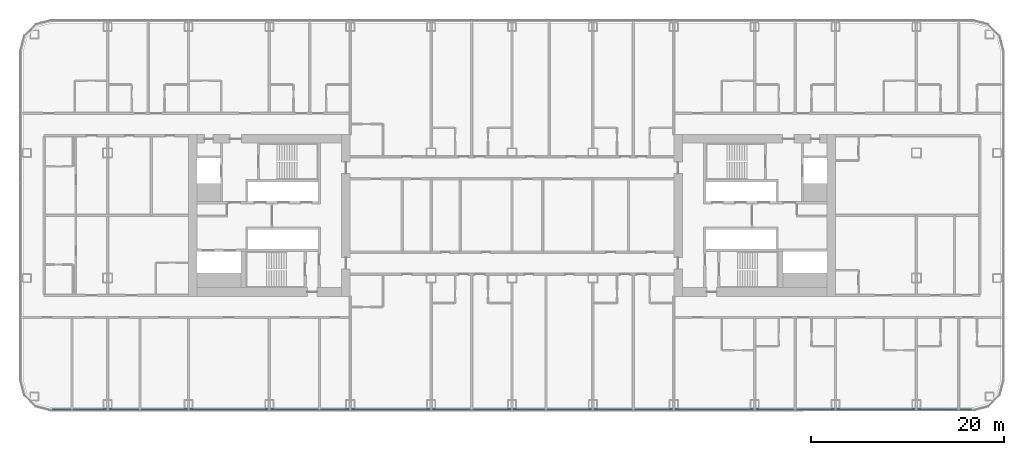
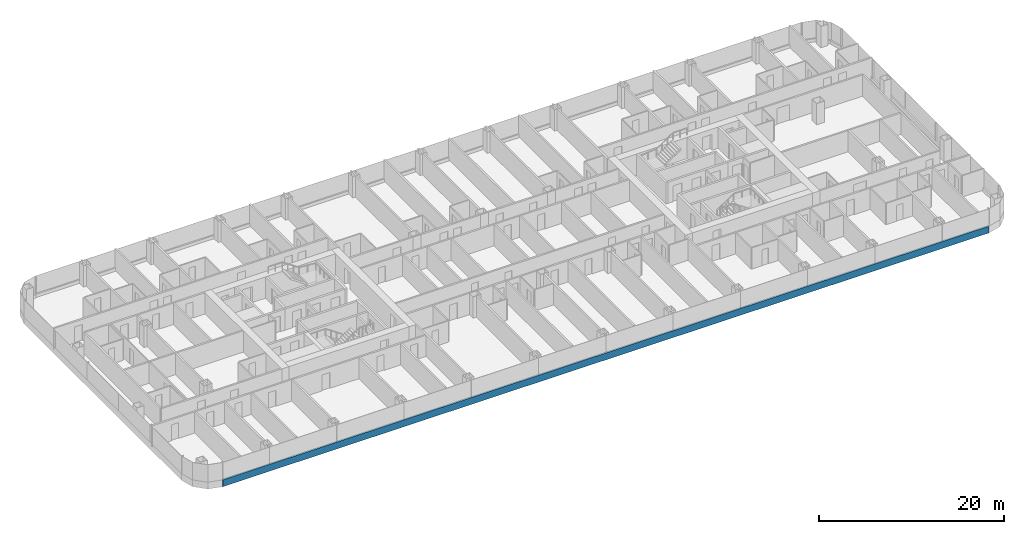
# One storey, part 5 of 28: 1 member, 1 element without a shape of its own.
"""IFC4 building model written with IfcOpenShell, lengths in metres."""

from ifc_helpers import new_model, si_unit, direction, frame, origin, origin_2d, place, context, subcontext, project, spatial, rectangle, extrude, material, layer, layer_set, material_profile, profile_set, type_object, element, aggregate, save


model = new_model("IFC4")

# Units and contexts
model_context = context("Model", 3, precision=1e-05, world=origin(), true_north=direction((0.0, 1.0)))
body_context = subcontext(model_context, "Body", "Model", "MODEL_VIEW")
ifc_project = project(units=[si_unit("LENGTHUNIT", "METRE"), si_unit("AREAUNIT", "SQUARE_METRE"), si_unit("VOLUMEUNIT", "CUBIC_METRE"), si_unit("PLANEANGLEUNIT", "RADIAN"), si_unit("MASSUNIT", "GRAM", prefix="KILO")], contexts=[model_context])

# Site, building, storey
site_placement = place(None, origin())
site = spatial("IfcSite", under=ifc_project, at=site_placement, CompositionType="ELEMENT")
building_placement = place(site_placement, origin())
building = spatial("IfcBuilding", under=site, at=building_placement, Name="Hakoniwa Tower and Hamabe Station Hall", CompositionType="ELEMENT")
storey_placement = place(building_placement, frame((0.0, 0.0, 42.199951171875)))
storey = spatial("IfcBuildingStorey", under=building, at=storey_placement, Name="L11", CompositionType="ELEMENT", Elevation=42.199951171875)

# Curtain wall, member
ifc_material_1 = material(Name="Dark low-e laminated glass", Category="glass")
ifc_layer = layer(ifc_material_1, 0.199951171875)
ifc_layer_set = layer_set([ifc_layer], Name="CW-1 UNITISED GUEST")
curtain_wall_type = type_object("IfcCurtainWallType", Name="CW-1 UNITISED GUEST", PredefinedType="NOTDEFINED", material=ifc_layer_set)
curtain_wall_placement = place(storey_placement, origin())
curtain_wall = element("IfcCurtainWall", 1, at=curtain_wall_placement, inside=storey, type_object=curtain_wall_type, Name="CW-1 curtain wall", PredefinedType="NOTDEFINED")
ifc_material_2 = material(Name="Aluminium 6063-T5 black anodised", Category="aluminium")
ifc_material_profile = material_profile(ifc_material_2, rectangle(XDim=0.199951171875, YDim=0.89990234375, at=origin_2d()), Name="CW SLAB-EDGE BAND 900X200")
ifc_profile_set = profile_set([ifc_material_profile], Name="Aluminium 6063-T5 black anodised")
member_type = type_object("IfcMemberType", Name="CW SLAB-EDGE BAND 900X200", PredefinedType="USERDEFINED", material=ifc_profile_set)
member_placement = place(storey_placement, frame((-47.839599609375, -20.199951171875, -0.099853515625), z_axis=(1.0, 0.0, 0.0), x_axis=(0.0, 1.0, 0.0)))
member = element("IfcMember", 2, at=member_placement, type_object=member_type, Name="CW-1 transom", ObjectType="TRANSOM", PredefinedType="USERDEFINED", context=body_context, shape_type="SweptSolid", body=[
    extrude(rectangle(XDim=0.199951171875, YDim=0.89990234375, at=origin_2d()), origin(), (0.0, 0.0, 1.0), 95.67919921875),
])
aggregate(curtain_wall, [member])

save(model, "model.ifc")
